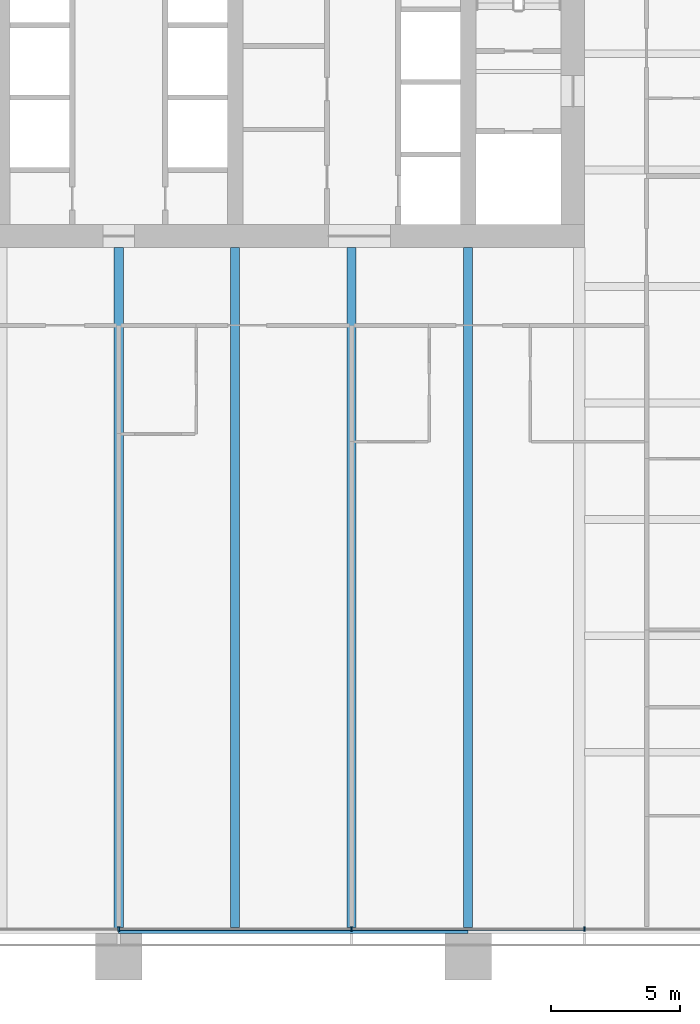
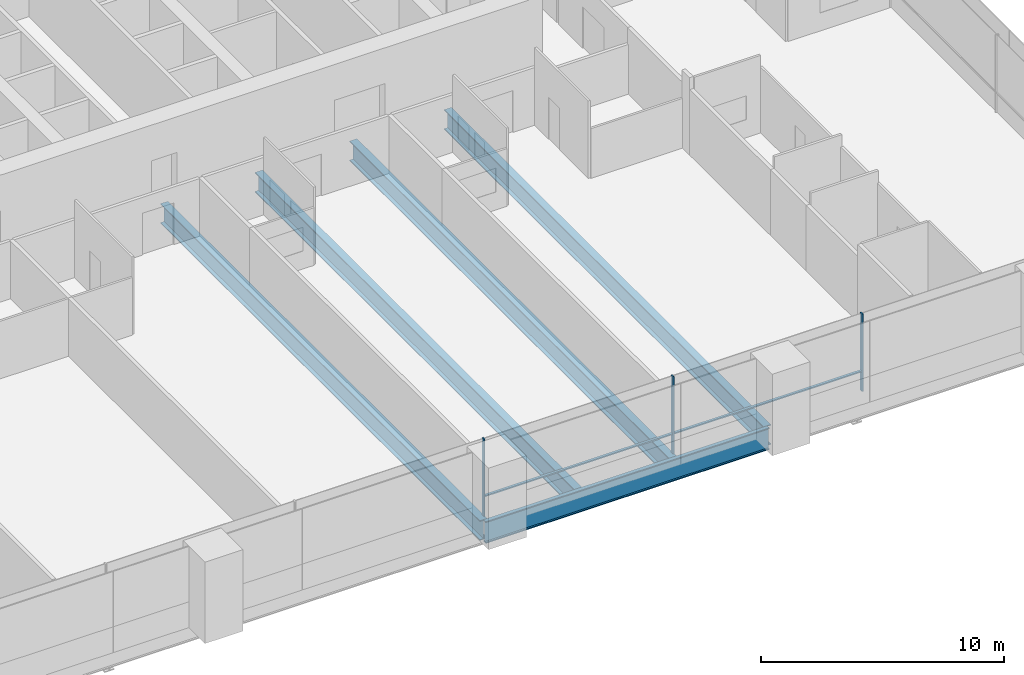
# One storey, part 5 of 20: 5 beams, 5 members, 1 element without a shape of its own.
"""IFC4 building model written with IfcOpenShell, lengths in metres."""

from ifc_helpers import new_model, si_unit, direction, frame, origin, origin_2d, place, context, subcontext, project, spatial, rectangle, i_section, extrude, material, material_profile, profile_set, type_object, element, aggregate, save


model = new_model("IFC4")

# Units and contexts
model_context = context("Model", 3, precision=1e-05, world=origin(), true_north=direction((0.0, 1.0)))
body_context = subcontext(model_context, "Body", "Model", "MODEL_VIEW")
ifc_project = project(units=[si_unit("LENGTHUNIT", "METRE"), si_unit("AREAUNIT", "SQUARE_METRE"), si_unit("VOLUMEUNIT", "CUBIC_METRE"), si_unit("PLANEANGLEUNIT", "RADIAN"), si_unit("MASSUNIT", "GRAM", prefix="KILO")], contexts=[model_context])

# Site, building, storey
site_placement = place(None, origin())
site = spatial("IfcSite", under=ifc_project, at=site_placement, CompositionType="ELEMENT")
building_placement = place(site_placement, origin())
building = spatial("IfcBuilding", under=site, at=building_placement, Name="Rattan Terrace Tower", CompositionType="ELEMENT")
storey_placement = place(building_placement, frame((0.0, 0.0, 40.60009765625)))
storey = spatial("IfcBuildingStorey", under=building, at=storey_placement, Name="L08", CompositionType="ELEMENT", Elevation=40.60009765625)

# Curtain wall, members
ifc_material_1 = material(Name="Aluminium and glass", Category="aluminium")
curtain_wall_type = type_object("IfcCurtainWallType", Name="Facade Unitised Curtain Wall", PredefinedType="NOTDEFINED", material=ifc_material_1)
curtain_wall_placement = place(storey_placement, origin())
curtain_wall = element("IfcCurtainWall", 1, at=curtain_wall_placement, inside=storey, type_object=curtain_wall_type, Name="Curtain wall L08-4", PredefinedType="NOTDEFINED")
ifc_material_2 = material(Name="Aluminium", Category="aluminium")
ifc_material_profile_1 = material_profile(ifc_material_2, rectangle(XDim=0.06005859375, YDim=0.159912109375, at=origin_2d()), Name="Aluminium 60x160")
ifc_profile_set_1 = profile_set([ifc_material_profile_1], Name="Aluminium")
member_type_1 = type_object("IfcMemberType", Name="Facade CW Mullion 60x160", PredefinedType="MULLION", material=ifc_profile_set_1)
member_1_placement = place(storey_placement, frame((0.0, -33.830078125, 0.0), z_axis=(0.0, 0.0, 1.0), x_axis=(1.0, 0.0, 0.0)))
member_1 = element("IfcMember", 2, at=member_1_placement, type_object=member_type_1, Name="Mullion cwl-L08-004.4", PredefinedType="MULLION", context=body_context, shape_type="SweptSolid", body=[
    extrude(rectangle(XDim=0.06005859375, YDim=0.159912109375, at=origin_2d()), origin(), (0.0, 0.0, 1.0), 3.89990234375),
])
member_2_placement = place(storey_placement, frame((9.0, -33.830078125, 0.0), z_axis=(0.0, 0.0, 1.0), x_axis=(1.0, 0.0, 0.0)))
member_2 = element("IfcMember", 3, at=member_2_placement, type_object=member_type_1, Name="Mullion cwl-L08-004.5", PredefinedType="MULLION", context=body_context, shape_type="SweptSolid", body=[
    extrude(rectangle(XDim=0.06005859375, YDim=0.159912109375, at=origin_2d()), origin(), (0.0, 0.0, 1.0), 3.89990234375),
])
member_3_placement = place(storey_placement, frame((18.0, -33.830078125, 0.0), z_axis=(0.0, 0.0, 1.0), x_axis=(1.0, 0.0, 0.0)))
member_3 = element("IfcMember", 4, at=member_3_placement, type_object=member_type_1, Name="Mullion cwl-L08-004.6", PredefinedType="MULLION", context=body_context, shape_type="SweptSolid", body=[
    extrude(rectangle(XDim=0.06005859375, YDim=0.159912109375, at=origin_2d()), origin(), (0.0, 0.0, 1.0), 3.89990234375),
])
ifc_material_3 = material(Name="Aluminium", Category="aluminium")
ifc_material_profile_2 = material_profile(ifc_material_3, rectangle(XDim=0.1201171875, YDim=0.06005859375, at=origin_2d()), Name="Aluminium 120x60")
ifc_profile_set_2 = profile_set([ifc_material_profile_2], Name="Aluminium")
member_type_2 = type_object("IfcMemberType", Name="Facade CW Transom 120x60", PredefinedType="USERDEFINED", material=ifc_profile_set_2)
member_4_placement = place(storey_placement, frame((0.030029296875, -33.830078125, 1.0), z_axis=(1.0, 0.0, 0.0), x_axis=(0.0, 1.0, 0.0)))
member_4 = element("IfcMember", 5, at=member_4_placement, type_object=member_type_2, Name="Transom cwl-L08-004.4", ObjectType="TRANSOM", PredefinedType="USERDEFINED", context=body_context, shape_type="SweptSolid", body=[
    extrude(rectangle(XDim=0.1201171875, YDim=0.06005859375, at=origin_2d()), origin(), (0.0, 0.0, 1.0), 8.93994140625),
])
member_5_placement = place(storey_placement, frame((9.030029296875, -33.830078125, 1.0), z_axis=(1.0, 0.0, 0.0), x_axis=(0.0, 1.0, 0.0)))
member_5 = element("IfcMember", 6, at=member_5_placement, type_object=member_type_2, Name="Transom cwl-L08-004.5", ObjectType="TRANSOM", PredefinedType="USERDEFINED", context=body_context, shape_type="SweptSolid", body=[
    extrude(rectangle(XDim=0.1201171875, YDim=0.06005859375, at=origin_2d()), origin(), (0.0, 0.0, 1.0), 8.93994140625),
])
aggregate(curtain_wall, [member_1, member_2, member_3, member_4, member_5])

# Beams
ifc_material_4 = material(Name="Steel S460", Category="steel")
ifc_material_profile_3 = material_profile(ifc_material_4, i_section(OverallWidth=0.179931640625, OverallDepth=1.10009765625, WebThickness=0.01611328125, FlangeThickness=0.050048828125, at=origin_2d()), Name="PG 1100x180-16-50")
ifc_profile_set_3 = profile_set([ifc_material_profile_3], Name="Steel S460")
beam_type_1 = type_object("IfcBeamType", Name="Frame edge girder PG 1100x180-16-50", PredefinedType="SPANDREL", material=ifc_profile_set_3)
beam_placement = place(storey_placement, frame((0.0, -33.909912109375, -0.75), z_axis=(1.0, 0.0, 0.0), x_axis=(0.0, 1.0, 0.0)))
element("IfcBeam", 7, at=beam_placement, inside=storey, type_object=beam_type_1, Name="gdr-L08-003", PredefinedType="SPANDREL", context=body_context, shape_type="SweptSolid", body=[
    extrude(i_section(OverallWidth=0.179931640625, OverallDepth=1.10009765625, WebThickness=0.01611328125, FlangeThickness=0.050048828125, at=origin_2d()), origin(), (0.0, 0.0, 1.0), 13.5),
])
ifc_material_5 = material(Name="Steel S460", Category="steel")
ifc_material_profile_4 = material_profile(ifc_material_5, i_section(OverallWidth=0.35009765625, OverallDepth=1.0, WebThickness=0.01611328125, FlangeThickness=0.044921875, at=origin_2d()), Name="PG 1000x350-16-45")
ifc_profile_set_4 = profile_set([ifc_material_profile_4], Name="Steel S460")
beam_type_2 = type_object("IfcBeamType", Name="Frame floor beam PG 1000x350-16-45", PredefinedType="JOIST", material=ifc_profile_set_4)
for number, where, z_axis, x_axis, name in (
    (8, (0.0, -33.820068359375, -0.7001953125), (0.0, 1.0, 0.0), (-1.0, 0.0, 0.0), "bm-L08-006"),
    (9, (4.5, -33.820068359375, -0.7001953125), (0.0, 1.0, 0.0), (-1.0, 0.0, 0.0), "bm-L08-007"),
    (10, (9.0, -33.820068359375, -0.7001953125), (0.0, 1.0, 0.0), (-1.0, 0.0, 0.0), "bm-L08-008"),
    (11, (13.5, -33.820068359375, -0.7001953125), (0.0, 1.0, 0.0), (-1.0, 0.0, 0.0), "bm-L08-009"),
):
    element("IfcBeam", number, at=place(storey_placement, frame(where, z_axis=z_axis, x_axis=x_axis)), inside=storey, type_object=beam_type_2, Name=name, PredefinedType="JOIST", context=body_context, shape_type="SweptSolid", body=[
        extrude(i_section(OverallWidth=0.35009765625, OverallDepth=1.0, WebThickness=0.01611328125, FlangeThickness=0.044921875, at=origin_2d()), origin(), (0.0, 0.0, 1.0), 26.320068359375),
    ])

save(model, "model.ifc")
